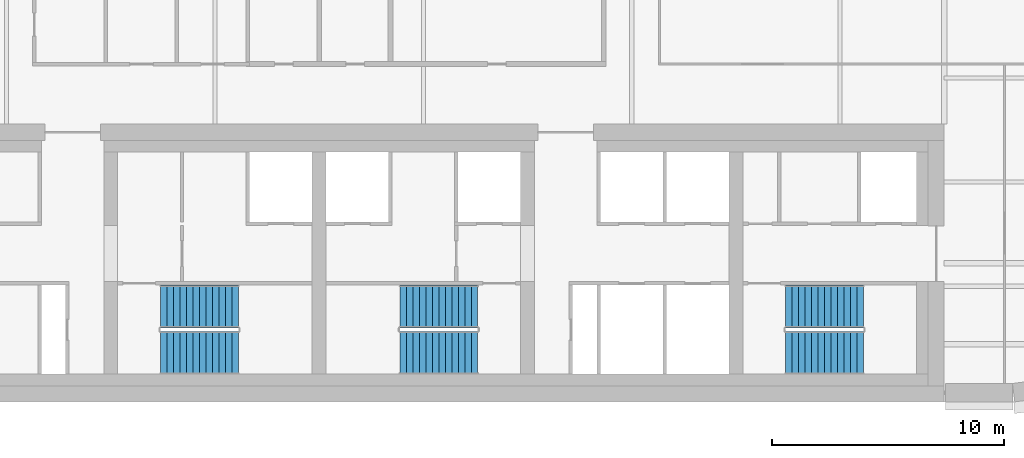
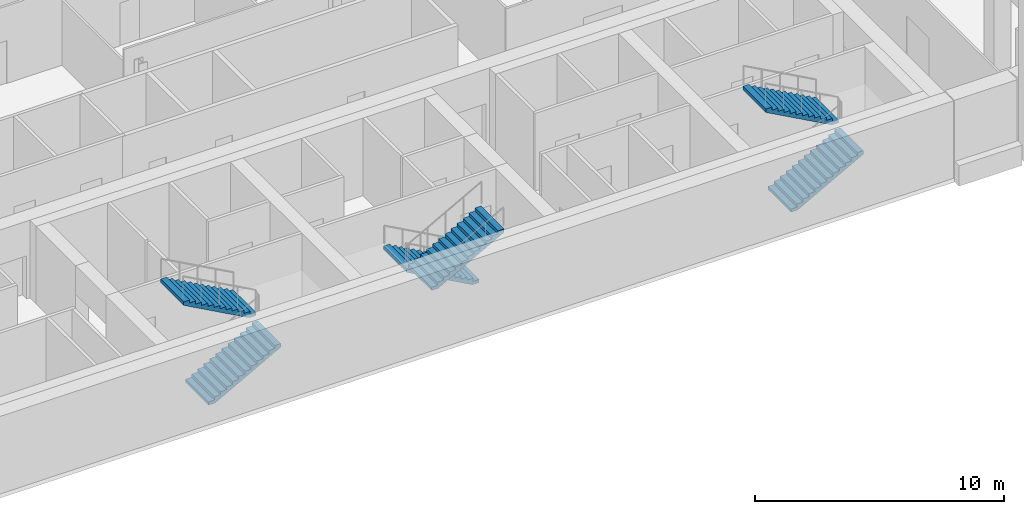
# One storey, part 12 of 16: 6 stair flights, 3 elements without a shape of their own.
"""IFC4 building model written with IfcOpenShell, lengths in metres."""

from ifc_helpers import new_model, si_unit, direction, frame, origin, place, context, subcontext, project, spatial, polyline, outline, extrude, material, type_object, element, aggregate, save


model = new_model("IFC4")

# Units and contexts
model_context = context("Model", 3, precision=1e-05, world=origin(), true_north=direction((0.0, 1.0)))
body_context = subcontext(model_context, "Body", "Model", "MODEL_VIEW")
ifc_project = project(units=[si_unit("LENGTHUNIT", "METRE"), si_unit("AREAUNIT", "SQUARE_METRE"), si_unit("VOLUMEUNIT", "CUBIC_METRE"), si_unit("PLANEANGLEUNIT", "RADIAN"), si_unit("MASSUNIT", "GRAM", prefix="KILO")], contexts=[model_context])

# Site, building, storey
site_placement = place(None, origin())
site = spatial("IfcSite", under=ifc_project, at=site_placement, CompositionType="ELEMENT")
building_placement = place(site_placement, origin())
building = spatial("IfcBuilding", under=site, at=building_placement, Name="Zellij Exchange Tower", CompositionType="ELEMENT")
storey_placement = place(building_placement, frame((0.0, 0.0, 244.5)))
storey = spatial("IfcBuildingStorey", under=building, at=storey_placement, Name="L57", CompositionType="ELEMENT", Elevation=244.5)

# Stair, stair flights
ifc_material = material(Name="Concrete C40/50", Category="concrete")
stair_type = type_object("IfcStairType", Name="CORE-ST exit stair 1850 wide", PredefinedType="HALF_TURN_STAIR", material=ifc_material)
stair_1_placement = place(storey_placement, origin())
stair_1 = element("IfcStair", 1, at=stair_1_placement, inside=storey, type_object=stair_type, Name="L57 exit stair ST2", PredefinedType="HALF_TURN_STAIR")
stair_flight_type = type_object("IfcStairFlightType", Name="CORE-SF flight 1850 riser 153.8 going 280", PredefinedType="STRAIGHT", material=ifc_material)
stair_flight_1_placement = place(storey_placement, frame((-6.85009765625, -11.875, 0.0), z_axis=(0.0, 0.0, 1.0), x_axis=(1.0, 0.0, 0.0)))
stair_flight_1 = element("IfcStairFlight", 2, at=stair_flight_1_placement, type_object=stair_flight_type, Name="ST2 flight 1", NumberOfRisers=13, NumberOfTreads=12, PredefinedType="STRAIGHT", RiserHeight=0.153846154, TreadLength=0.28, context=body_context, shape_type="SweptSolid", body=[
    extrude(outline(polyline([(0.0, 0.0), (0.0, 0.15380859375), (0.280029296875, 0.15380859375), (0.280029296875, 0.3076171875), (0.56005859375, 0.3076171875), (0.56005859375, 0.46142578125), (0.840087890625, 0.46142578125), (0.840087890625, 0.615478515625), (1.1201171875, 0.615478515625), (1.1201171875, 0.769287109375), (1.39990234375, 0.769287109375), (1.39990234375, 0.923095703125), (1.679931640625, 0.923095703125), (1.679931640625, 1.076904296875), (1.9599609375, 1.076904296875), (1.9599609375, 1.230712890625), (2.239990234375, 1.230712890625), (2.239990234375, 1.384521484375), (2.52001953125, 1.384521484375), (2.52001953125, 1.53857421875), (2.800048828125, 1.53857421875), (2.800048828125, 1.6923828125), (3.080078125, 1.6923828125), (3.080078125, 1.84619140625), (3.360107421875, 1.84619140625), (3.360107421875, 2.0), (3.360107421875, 1.675048828125), (0.311279296875, 0.0), (0.0, 0.0)])), frame((0.0, 0.925048828125, 0.0), z_axis=(0.0, -1.0, 0.0), x_axis=(1.0, 0.0, 0.0)), (0.0, 0.0, 1.0), 1.85009765625),
])
stair_flight_2_placement = place(storey_placement, frame((-3.489990234375, -9.875, 2.0), z_axis=(0.0, 0.0, 1.0), x_axis=(-1.0, 0.0, 0.0)))
stair_flight_2 = element("IfcStairFlight", 3, at=stair_flight_2_placement, type_object=stair_flight_type, Name="ST2 flight 2", NumberOfRisers=13, NumberOfTreads=12, PredefinedType="STRAIGHT", RiserHeight=0.153846154, TreadLength=0.28, context=body_context, shape_type="SweptSolid", body=[
    extrude(outline(polyline([(0.0, 0.0), (0.0, 0.15380859375), (0.280029296875, 0.15380859375), (0.280029296875, 0.3076171875), (0.56005859375, 0.3076171875), (0.56005859375, 0.46142578125), (0.840087890625, 0.46142578125), (0.840087890625, 0.615478515625), (1.1201171875, 0.615478515625), (1.1201171875, 0.769287109375), (1.39990234375, 0.769287109375), (1.39990234375, 0.923095703125), (1.679931640625, 0.923095703125), (1.679931640625, 1.076904296875), (1.9599609375, 1.076904296875), (1.9599609375, 1.230712890625), (2.239990234375, 1.230712890625), (2.239990234375, 1.384521484375), (2.52001953125, 1.384521484375), (2.52001953125, 1.53857421875), (2.800048828125, 1.53857421875), (2.800048828125, 1.6923828125), (3.080078125, 1.6923828125), (3.080078125, 1.84619140625), (3.360107421875, 1.84619140625), (3.360107421875, 2.0), (3.360107421875, 1.675048828125), (0.311279296875, 0.0), (0.0, 0.0)])), frame((0.0, 0.925048828125, 0.0), z_axis=(0.0, -1.0, 0.0), x_axis=(1.0, 0.0, 0.0)), (0.0, 0.0, 1.0), 1.85009765625),
])
aggregate(stair_1, [stair_flight_1, stair_flight_2])

stair_2_placement = place(storey_placement, origin())
stair_2 = element("IfcStair", 4, at=stair_2_placement, inside=storey, type_object=stair_type, Name="L57 exit stair ST3", PredefinedType="HALF_TURN_STAIR")
stair_flight_3_placement = place(storey_placement, frame((6.85009765625, -9.875, 0.0), z_axis=(0.0, 0.0, 1.0), x_axis=(-1.0, 0.0, 0.0)))
stair_flight_3 = element("IfcStairFlight", 5, at=stair_flight_3_placement, type_object=stair_flight_type, Name="ST3 flight 1", NumberOfRisers=13, NumberOfTreads=12, PredefinedType="STRAIGHT", RiserHeight=0.153846154, TreadLength=0.28, context=body_context, shape_type="SweptSolid", body=[
    extrude(outline(polyline([(0.0, 0.0), (0.0, 0.15380859375), (0.280029296875, 0.15380859375), (0.280029296875, 0.3076171875), (0.56005859375, 0.3076171875), (0.56005859375, 0.46142578125), (0.840087890625, 0.46142578125), (0.840087890625, 0.615478515625), (1.1201171875, 0.615478515625), (1.1201171875, 0.769287109375), (1.39990234375, 0.769287109375), (1.39990234375, 0.923095703125), (1.679931640625, 0.923095703125), (1.679931640625, 1.076904296875), (1.9599609375, 1.076904296875), (1.9599609375, 1.230712890625), (2.239990234375, 1.230712890625), (2.239990234375, 1.384521484375), (2.52001953125, 1.384521484375), (2.52001953125, 1.53857421875), (2.800048828125, 1.53857421875), (2.800048828125, 1.6923828125), (3.080078125, 1.6923828125), (3.080078125, 1.84619140625), (3.360107421875, 1.84619140625), (3.360107421875, 2.0), (3.360107421875, 1.675048828125), (0.311279296875, 0.0), (0.0, 0.0)])), frame((0.0, 0.925048828125, 0.0), z_axis=(0.0, -1.0, 0.0), x_axis=(1.0, 0.0, 0.0)), (0.0, 0.0, 1.0), 1.85009765625),
])
stair_flight_4_placement = place(storey_placement, frame((3.489990234375, -11.875, 2.0), z_axis=(0.0, 0.0, 1.0), x_axis=(1.0, 0.0, 0.0)))
stair_flight_4 = element("IfcStairFlight", 6, at=stair_flight_4_placement, type_object=stair_flight_type, Name="ST3 flight 2", NumberOfRisers=13, NumberOfTreads=12, PredefinedType="STRAIGHT", RiserHeight=0.153846154, TreadLength=0.28, context=body_context, shape_type="SweptSolid", body=[
    extrude(outline(polyline([(0.0, 0.0), (0.0, 0.15380859375), (0.280029296875, 0.15380859375), (0.280029296875, 0.3076171875), (0.56005859375, 0.3076171875), (0.56005859375, 0.46142578125), (0.840087890625, 0.46142578125), (0.840087890625, 0.615478515625), (1.1201171875, 0.615478515625), (1.1201171875, 0.769287109375), (1.39990234375, 0.769287109375), (1.39990234375, 0.923095703125), (1.679931640625, 0.923095703125), (1.679931640625, 1.076904296875), (1.9599609375, 1.076904296875), (1.9599609375, 1.230712890625), (2.239990234375, 1.230712890625), (2.239990234375, 1.384521484375), (2.52001953125, 1.384521484375), (2.52001953125, 1.53857421875), (2.800048828125, 1.53857421875), (2.800048828125, 1.6923828125), (3.080078125, 1.6923828125), (3.080078125, 1.84619140625), (3.360107421875, 1.84619140625), (3.360107421875, 2.0), (3.360107421875, 1.675048828125), (0.311279296875, 0.0), (0.0, 0.0)])), frame((0.0, 0.925048828125, 0.0), z_axis=(0.0, -1.0, 0.0), x_axis=(1.0, 0.0, 0.0)), (0.0, 0.0, 1.0), 1.85009765625),
])
aggregate(stair_2, [stair_flight_3, stair_flight_4])

stair_3_placement = place(storey_placement, origin())
stair_3 = element("IfcStair", 7, at=stair_3_placement, inside=storey, type_object=stair_type, Name="L57 exit stair ST4", PredefinedType="HALF_TURN_STAIR")
stair_flight_5_placement = place(storey_placement, frame((20.14990234375, -11.875, 0.0), z_axis=(0.0, 0.0, 1.0), x_axis=(1.0, 0.0, 0.0)))
stair_flight_5 = element("IfcStairFlight", 8, at=stair_flight_5_placement, type_object=stair_flight_type, Name="ST4 flight 1", NumberOfRisers=13, NumberOfTreads=12, PredefinedType="STRAIGHT", RiserHeight=0.153846154, TreadLength=0.28, context=body_context, shape_type="SweptSolid", body=[
    extrude(outline(polyline([(0.0, 0.0), (0.0, 0.15380859375), (0.280029296875, 0.15380859375), (0.280029296875, 0.3076171875), (0.56005859375, 0.3076171875), (0.56005859375, 0.46142578125), (0.840087890625, 0.46142578125), (0.840087890625, 0.615478515625), (1.1201171875, 0.615478515625), (1.1201171875, 0.769287109375), (1.39990234375, 0.769287109375), (1.39990234375, 0.923095703125), (1.679931640625, 0.923095703125), (1.679931640625, 1.076904296875), (1.9599609375, 1.076904296875), (1.9599609375, 1.230712890625), (2.239990234375, 1.230712890625), (2.239990234375, 1.384521484375), (2.52001953125, 1.384521484375), (2.52001953125, 1.53857421875), (2.800048828125, 1.53857421875), (2.800048828125, 1.6923828125), (3.080078125, 1.6923828125), (3.080078125, 1.84619140625), (3.360107421875, 1.84619140625), (3.360107421875, 2.0), (3.360107421875, 1.675048828125), (0.311279296875, 0.0), (0.0, 0.0)])), frame((0.0, 0.925048828125, 0.0), z_axis=(0.0, -1.0, 0.0), x_axis=(1.0, 0.0, 0.0)), (0.0, 0.0, 1.0), 1.85009765625),
])
stair_flight_6_placement = place(storey_placement, frame((23.510009765625, -9.875, 2.0), z_axis=(0.0, 0.0, 1.0), x_axis=(-1.0, 0.0, 0.0)))
stair_flight_6 = element("IfcStairFlight", 9, at=stair_flight_6_placement, type_object=stair_flight_type, Name="ST4 flight 2", NumberOfRisers=13, NumberOfTreads=12, PredefinedType="STRAIGHT", RiserHeight=0.153846154, TreadLength=0.28, context=body_context, shape_type="SweptSolid", body=[
    extrude(outline(polyline([(0.0, 0.0), (0.0, 0.15380859375), (0.280029296875, 0.15380859375), (0.280029296875, 0.3076171875), (0.56005859375, 0.3076171875), (0.56005859375, 0.46142578125), (0.840087890625, 0.46142578125), (0.840087890625, 0.615478515625), (1.1201171875, 0.615478515625), (1.1201171875, 0.769287109375), (1.39990234375, 0.769287109375), (1.39990234375, 0.923095703125), (1.679931640625, 0.923095703125), (1.679931640625, 1.076904296875), (1.9599609375, 1.076904296875), (1.9599609375, 1.230712890625), (2.239990234375, 1.230712890625), (2.239990234375, 1.384521484375), (2.52001953125, 1.384521484375), (2.52001953125, 1.53857421875), (2.800048828125, 1.53857421875), (2.800048828125, 1.6923828125), (3.080078125, 1.6923828125), (3.080078125, 1.84619140625), (3.360107421875, 1.84619140625), (3.360107421875, 2.0), (3.360107421875, 1.675048828125), (0.311279296875, 0.0), (0.0, 0.0)])), frame((0.0, 0.925048828125, 0.0), z_axis=(0.0, -1.0, 0.0), x_axis=(1.0, 0.0, 0.0)), (0.0, 0.0, 1.0), 1.85009765625),
])
aggregate(stair_3, [stair_flight_5, stair_flight_6])

save(model, "model.ifc")
